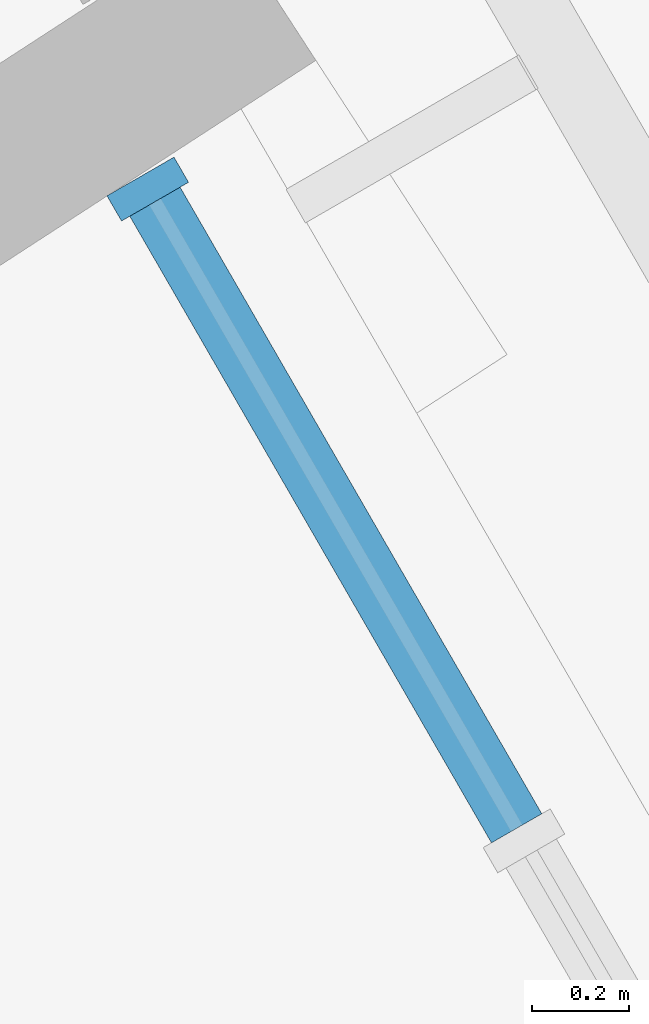
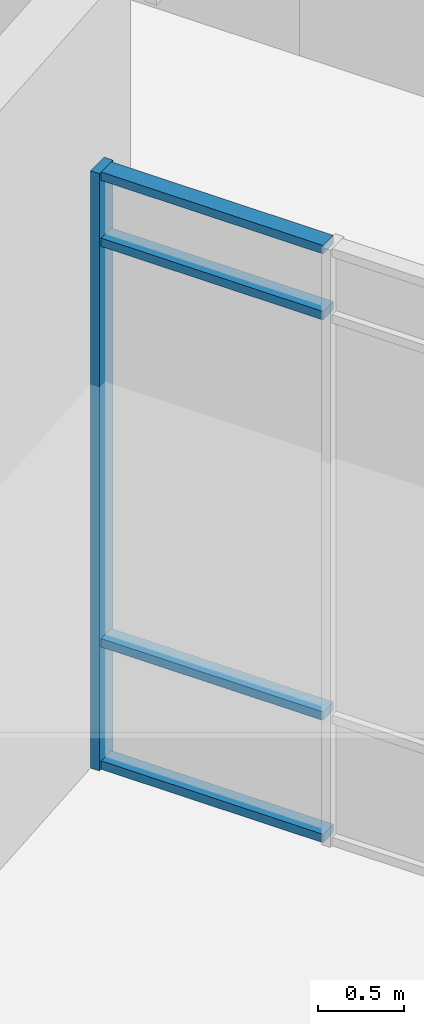
# One storey, part 23 of 146: 5 members, 1 element without a shape of its own.
"""IFC4 building model written with IfcOpenShell, lengths in metres."""

from ifc_helpers import new_model, si_unit, direction, frame, origin, origin_2d, place, context, subcontext, project, spatial, rectangle, extrude, material, material_profile, profile_set, type_object, element, aggregate, save


model = new_model("IFC4")

# Units and contexts
model_context = context("Model", 3, precision=1e-05, world=origin(), true_north=direction((0.0, 1.0)))
body_context = subcontext(model_context, "Body", "Model", "MODEL_VIEW")
ifc_project = project(units=[si_unit("LENGTHUNIT", "METRE"), si_unit("AREAUNIT", "SQUARE_METRE"), si_unit("VOLUMEUNIT", "CUBIC_METRE"), si_unit("PLANEANGLEUNIT", "RADIAN"), si_unit("MASSUNIT", "GRAM", prefix="KILO")], contexts=[model_context])

# Site, building, storey
site_placement = place(None, origin())
site = spatial("IfcSite", under=ifc_project, at=site_placement, CompositionType="ELEMENT")
building_placement = place(site_placement, origin())
building = spatial("IfcBuilding", under=site, at=building_placement, Name="Bougainvillea Quay General Hospital", CompositionType="ELEMENT")
storey_placement = place(building_placement, origin())
storey = spatial("IfcBuildingStorey", under=building, at=storey_placement, Name="L00", CompositionType="ELEMENT", Elevation=0.0)

# Curtain wall, members
ifc_material_1 = material(Name="Aluminium curtain wall system, powder-coated glazed", Category="aluminium")
curtain_wall_type = type_object("IfcCurtainWallType", Name="Unitised curtain wall CW-1585", PredefinedType="NOTDEFINED", material=ifc_material_1)
curtain_wall_placement = place(storey_placement, origin())
curtain_wall = element("IfcCurtainWall", 1, at=curtain_wall_placement, inside=storey, type_object=curtain_wall_type, Name="CW-D 00", PredefinedType="NOTDEFINED")
ifc_material_2 = material(Name="Aluminium mullion, powder-coated charcoal", Category="aluminium")
ifc_material_profile_1 = material_profile(ifc_material_2, rectangle(XDim=0.159912109375, YDim=0.06005859375, at=origin_2d()))
ifc_profile_set_1 = profile_set([ifc_material_profile_1], Name="Aluminium mullion, powder-coated charcoal")
member_type_1 = type_object("IfcMemberType", Name="Curtain wall mullion 160x60", PredefinedType="MULLION", material=ifc_profile_set_1)
member_1_placement = place(storey_placement, frame((126.579833984375, 85.037353515625, 0.0), z_axis=(0.0, 0.0, 1.0), x_axis=(-0.866045865692, -0.499964557262, 0.0)))
member_1 = element("IfcMember", 2, at=member_1_placement, type_object=member_type_1, Name="CW-D mullion 3", PredefinedType="MULLION", context=body_context, shape_type="SweptSolid", body=[
    extrude(rectangle(XDim=0.159912109375, YDim=0.06005859375, at=origin_2d()), origin(), (0.0, 0.0, 1.0), 4.25),
])
ifc_material_3 = material(Name="Aluminium transom, powder-coated charcoal", Category="aluminium")
ifc_material_profile_2 = material_profile(ifc_material_3, rectangle(XDim=0.1201171875, YDim=0.06005859375, at=origin_2d()))
ifc_profile_set_2 = profile_set([ifc_material_profile_2], Name="Aluminium transom, powder-coated charcoal")
member_type_2 = type_object("IfcMemberType", Name="Curtain wall transom 120x60", PredefinedType="USERDEFINED", material=ifc_profile_set_2)
member_2_placement = place(storey_placement, frame((127.342041015625, 83.716552734375, 0.030029296875), z_axis=(-0.499915667175, 0.866074087889, 0.0), x_axis=(-0.866074087889, -0.499915667175, 0.0)))
member_2 = element("IfcMember", 3, at=member_2_placement, type_object=member_type_2, Name="CW-D transom 2.1", ObjectType="TRANSOM", PredefinedType="USERDEFINED", context=body_context, shape_type="SweptSolid", body=[
    extrude(rectangle(XDim=0.1201171875, YDim=0.06005859375, at=origin_2d()), origin(), (0.0, 0.0, 1.0), 1.494873046875),
])
member_3_placement = place(storey_placement, frame((127.342041015625, 83.716552734375, 0.89990234375), z_axis=(-0.499915667175, 0.866074087889, 0.0), x_axis=(-0.866074087889, -0.499915667175, 0.0)))
member_3 = element("IfcMember", 4, at=member_3_placement, type_object=member_type_2, Name="CW-D transom 2.2", ObjectType="TRANSOM", PredefinedType="USERDEFINED", context=body_context, shape_type="SweptSolid", body=[
    extrude(rectangle(XDim=0.1201171875, YDim=0.06005859375, at=origin_2d()), origin(), (0.0, 0.0, 1.0), 1.494873046875),
])
member_4_placement = place(storey_placement, frame((127.342041015625, 83.716552734375, 3.75), z_axis=(-0.499915667175, 0.866074087889, 0.0), x_axis=(-0.866074087889, -0.499915667175, 0.0)))
member_4 = element("IfcMember", 5, at=member_4_placement, type_object=member_type_2, Name="CW-D transom 2.3", ObjectType="TRANSOM", PredefinedType="USERDEFINED", context=body_context, shape_type="SweptSolid", body=[
    extrude(rectangle(XDim=0.1201171875, YDim=0.06005859375, at=origin_2d()), origin(), (0.0, 0.0, 1.0), 1.494873046875),
])
member_5_placement = place(storey_placement, frame((127.342041015625, 83.716552734375, 4.219970703125), z_axis=(-0.499915667175, 0.866074087889, 0.0), x_axis=(-0.866074087889, -0.499915667175, 0.0)))
member_5 = element("IfcMember", 6, at=member_5_placement, type_object=member_type_2, Name="CW-D transom 2.4", ObjectType="TRANSOM", PredefinedType="USERDEFINED", context=body_context, shape_type="SweptSolid", body=[
    extrude(rectangle(XDim=0.1201171875, YDim=0.06005859375, at=origin_2d()), origin(), (0.0, 0.0, 1.0), 1.494873046875),
])
aggregate(curtain_wall, [member_1, member_2, member_3, member_4, member_5])

save(model, "model.ifc")
